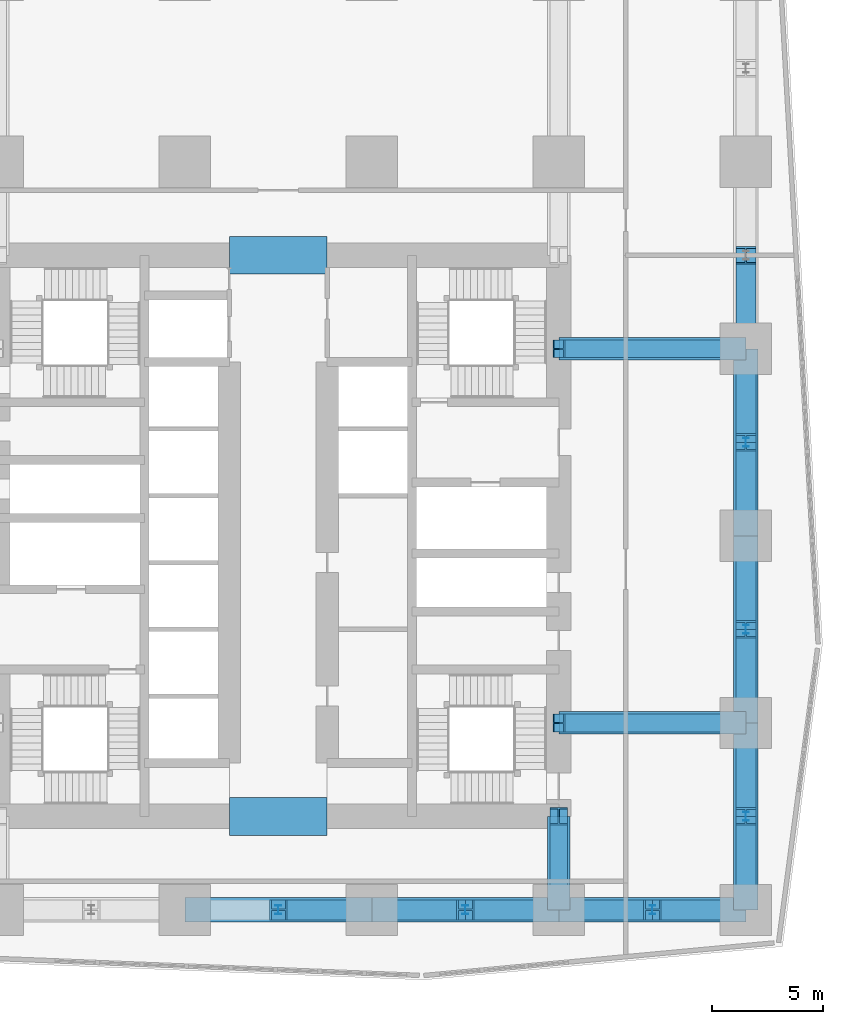
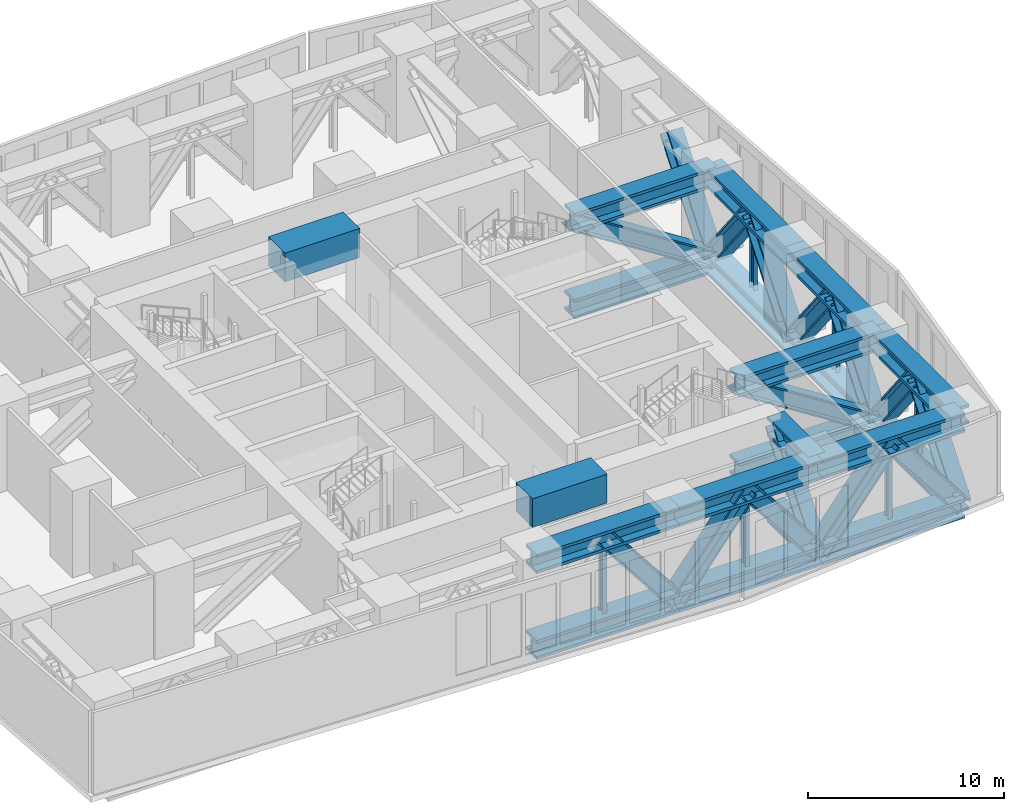
# One storey, part 4 of 16: 39 members, 2 beams.
"""IFC4 building model written with IfcOpenShell, lengths in metres."""

from ifc_helpers import new_model, si_unit, direction, frame, origin, origin_2d, place, context, subcontext, project, spatial, rectangle, i_section, extrude, material, material_profile, profile_set, type_object, element, save


model = new_model("IFC4")

# Units and contexts
model_context = context("Model", 3, precision=1e-05, world=origin(), true_north=direction((0.0, 1.0)))
body_context = subcontext(model_context, "Body", "Model", "MODEL_VIEW")
ifc_project = project(units=[si_unit("LENGTHUNIT", "METRE"), si_unit("AREAUNIT", "SQUARE_METRE"), si_unit("VOLUMEUNIT", "CUBIC_METRE"), si_unit("PLANEANGLEUNIT", "RADIAN"), si_unit("MASSUNIT", "GRAM", prefix="KILO")], contexts=[model_context])

# Site, building, storey
site_placement = place(None, origin())
site = spatial("IfcSite", under=ifc_project, at=site_placement, CompositionType="ELEMENT")
building_placement = place(site_placement, origin())
building = spatial("IfcBuilding", under=site, at=building_placement, Name="Rekha Terrace Tower", CompositionType="ELEMENT")
storey_placement = place(building_placement, frame((0.0, 0.0, 240.199951171875)))
storey = spatial("IfcBuildingStorey", under=building, at=storey_placement, Name="L61", CompositionType="ELEMENT", Elevation=240.199951171875)

# Members
ifc_material_1 = material(Name="Steel E350", Category="steel")
ifc_material_profile_1 = material_profile(ifc_material_1, i_section(OverallWidth=1.10009765625, OverallDepth=1.199951171875, WebThickness=0.1201171875, FlangeThickness=0.179931640625, at=origin_2d()), Name="BU 1200x1100x120x180")
ifc_profile_set_1 = profile_set([ifc_material_profile_1], Name="Steel E350")
member_type_1 = type_object("IfcMemberType", Name="BC61 BU 1200x1100x120x180 belt truss chord", PredefinedType="CHORD", material=ifc_profile_set_1)
for number, where, z_axis, x_axis, name in (
    (1, (33.60009765625, 16.800048828125, 4.400146484375), (1.0, 0.0, 0.0), (0.0, 1.0, 0.0), "Belt top chord 5C-6C L61"),
    (2, (33.60009765625, 16.800048828125, -0.949951171875), (1.0, 0.0, 0.0), (0.0, 1.0, 0.0), "Belt bottom chord 5C-6C L61"),
    (3, (42.0, 16.800048828125, 4.400146484375), (1.0, 0.0, 0.0), (0.0, 1.0, 0.0), "Belt top chord 6C-7C L61"),
    (4, (42.0, 16.800048828125, -0.949951171875), (1.0, 0.0, 0.0), (0.0, 1.0, 0.0), "Belt bottom chord 6C-7C L61"),
):
    element("IfcMember", number, at=place(storey_placement, frame(where, z_axis=z_axis, x_axis=x_axis)), inside=storey, type_object=member_type_1, Name=name, PredefinedType="CHORD", context=body_context, shape_type="SweptSolid", body=[
        extrude(i_section(OverallWidth=1.10009765625, OverallDepth=1.199951171875, WebThickness=0.1201171875, FlangeThickness=0.179931640625, at=origin_2d()), origin(), (0.0, 0.0, 1.0), 8.39990234375),
    ])
for number, where, z_axis, x_axis, name in (
    (5, (50.39990234375, 16.800048828125, 4.400146484375), (1.0, 0.0, 0.0), (0.0, 1.0, 0.0), "Belt top chord 7C-8C L61"),
    (6, (50.39990234375, 16.800048828125, -0.949951171875), (1.0, 0.0, 0.0), (0.0, 1.0, 0.0), "Belt bottom chord 7C-8C L61"),
):
    element("IfcMember", number, at=place(storey_placement, frame(where, z_axis=z_axis, x_axis=x_axis)), inside=storey, type_object=member_type_1, Name=name, PredefinedType="CHORD", context=body_context, shape_type="SweptSolid", body=[
        extrude(i_section(OverallWidth=1.10009765625, OverallDepth=1.199951171875, WebThickness=0.1201171875, FlangeThickness=0.179931640625, at=origin_2d()), origin(), (0.0, 0.0, 1.0), 8.400146484375),
    ])
for number, where, z_axis, x_axis, name in (
    (7, (58.800048828125, 16.800048828125, 4.400146484375), (0.0, 1.0, 0.0), (-1.0, 0.0, 0.0), "Belt top chord 8C-8D L61"),
    (8, (58.800048828125, 16.800048828125, -0.949951171875), (0.0, 1.0, 0.0), (-1.0, 0.0, 0.0), "Belt bottom chord 8C-8D L61"),
):
    element("IfcMember", number, at=place(storey_placement, frame(where, z_axis=z_axis, x_axis=x_axis)), inside=storey, type_object=member_type_1, Name=name, PredefinedType="CHORD", context=body_context, shape_type="SweptSolid", body=[
        extrude(i_section(OverallWidth=1.10009765625, OverallDepth=1.199951171875, WebThickness=0.1201171875, FlangeThickness=0.179931640625, at=origin_2d()), origin(), (0.0, 0.0, 1.0), 8.39990234375),
    ])
for number, where, z_axis, x_axis, name in (
    (9, (58.800048828125, 25.199951171875, 4.400146484375), (0.0, 1.0, 0.0), (-1.0, 0.0, 0.0), "Belt top chord 8D-8E L61"),
    (10, (58.800048828125, 25.199951171875, -0.949951171875), (0.0, 1.0, 0.0), (-1.0, 0.0, 0.0), "Belt bottom chord 8D-8E L61"),
):
    element("IfcMember", number, at=place(storey_placement, frame(where, z_axis=z_axis, x_axis=x_axis)), inside=storey, type_object=member_type_1, Name=name, PredefinedType="CHORD", context=body_context, shape_type="SweptSolid", body=[
        extrude(i_section(OverallWidth=1.10009765625, OverallDepth=1.199951171875, WebThickness=0.1201171875, FlangeThickness=0.179931640625, at=origin_2d()), origin(), (0.0, 0.0, 1.0), 8.400146484375),
    ])
for number, where, z_axis, x_axis, name in (
    (11, (58.800048828125, 33.60009765625, 4.400146484375), (0.0, 1.0, 0.0), (-1.0, 0.0, 0.0), "Belt top chord 8E-8F L61"),
    (12, (58.800048828125, 33.60009765625, -0.949951171875), (0.0, 1.0, 0.0), (-1.0, 0.0, 0.0), "Belt bottom chord 8E-8F L61"),
):
    element("IfcMember", number, at=place(storey_placement, frame(where, z_axis=z_axis, x_axis=x_axis)), inside=storey, type_object=member_type_1, Name=name, PredefinedType="CHORD", context=body_context, shape_type="SweptSolid", body=[
        extrude(i_section(OverallWidth=1.10009765625, OverallDepth=1.199951171875, WebThickness=0.1201171875, FlangeThickness=0.179931640625, at=origin_2d()), origin(), (0.0, 0.0, 1.0), 8.39990234375),
    ])
ifc_material_profile_2 = material_profile(ifc_material_1, i_section(OverallWidth=0.89990234375, OverallDepth=1.0, WebThickness=0.06005859375, FlangeThickness=0.10009765625, at=origin_2d()), Name="BU 1000x900x60x100")
ifc_profile_set_2 = profile_set([ifc_material_profile_2], Name="Steel E350")
member_type_2 = type_object("IfcMemberType", Name="BD61 BU 1000x900x60x100 belt truss diagonal", PredefinedType="BRACE", material=ifc_profile_set_2)
for number, where, z_axis, x_axis, name in (
    (13, (42.0, 16.800048828125, -0.949951171875), (-0.617485427507, 0.0, 0.786582320432), (0.0, -1.0, 0.0), "Belt diagonal 5C-6C L61"),
    (14, (42.0, 16.800048828125, -0.949951171875), (0.617485427507, 0.0, 0.786582320432), (0.0, 1.0, 0.0), "Belt diagonal 6C-7C L61"),
    (15, (50.39990234375, 16.800048828125, -0.949951171875), (-0.617485427507, 0.0, 0.786582320432), (0.0, -1.0, 0.0), "Belt diagonal 6C-7C L61"),
    (16, (50.39990234375, 16.800048828125, -0.949951171875), (0.617507634842, 0.0, 0.78656488665), (0.0, 1.0, 0.0), "Belt diagonal 7C-8C L61"),
    (17, (58.800048828125, 16.800048828125, -0.949951171875), (-0.617485427507, 0.0, 0.786582320432), (0.0, -1.0, 0.0), "Belt diagonal 7C-8C L61"),
    (18, (58.800048828125, 16.800048828125, -0.949951171875), (0.0, 0.617485427507, 0.786582320432), (-1.0, 0.0, 0.0), "Belt diagonal 8C-8D L61"),
    (19, (58.800048828125, 25.199951171875, -0.949951171875), (0.0, -0.617485427507, 0.786582320432), (1.0, 0.0, 0.0), "Belt diagonal 8C-8D L61"),
    (20, (58.800048828125, 25.199951171875, -0.949951171875), (0.0, 0.617485427507, 0.786582320432), (-1.0, 0.0, 0.0), "Belt diagonal 8D-8E L61"),
    (21, (58.800048828125, 33.60009765625, -0.949951171875), (0.0, -0.617507634842, 0.78656488665), (1.0, 0.0, 0.0), "Belt diagonal 8D-8E L61"),
    (22, (58.800048828125, 33.60009765625, -0.949951171875), (0.0, 0.617485427507, 0.786582320432), (-1.0, 0.0, 0.0), "Belt diagonal 8E-8F L61"),
    (23, (58.800048828125, 42.0, -0.949951171875), (0.0, -0.617485427507, 0.786582320432), (1.0, 0.0, 0.0), "Belt diagonal 8E-8F L61"),
    (24, (58.800048828125, 42.0, -0.949951171875), (0.0, 0.617485427507, 0.786582320432), (-1.0, 0.0, 0.0), "Belt diagonal 8F-8G L61"),
):
    element("IfcMember", number, at=place(storey_placement, frame(where, z_axis=z_axis, x_axis=x_axis)), inside=storey, type_object=member_type_2, Name=name, PredefinedType="BRACE", context=body_context, shape_type="SweptSolid", body=[
        extrude(i_section(OverallWidth=0.89990234375, OverallDepth=1.0, WebThickness=0.06005859375, FlangeThickness=0.10009765625, at=origin_2d()), origin(), (0.0, 0.0, 1.0), 6.8017578125),
    ])
ifc_material_profile_3 = material_profile(ifc_material_1, i_section(OverallWidth=0.25, OverallDepth=0.39990234375, WebThickness=0.010498046875, FlangeThickness=0.01611328125, FilletRadius=0.013916015625, at=origin_2d()), Name="ISHB 400")
ifc_profile_set_3 = profile_set([ifc_material_profile_3], Name="Steel E350")
member_type_3 = type_object("IfcMemberType", Name="BV61 ISHB 400 belt truss post", PredefinedType="POST", material=ifc_profile_set_3)
for number, where, z_axis, x_axis, name in (
    (25, (37.800048828125, 16.800048828125, -0.349853515625), (0.0, 0.0, 1.0), (1.0, 0.0, 0.0), "Belt post 5C-6C L61"),
    (26, (46.199951171875, 16.800048828125, -0.349853515625), (0.0, 0.0, 1.0), (1.0, 0.0, 0.0), "Belt post 6C-7C L61"),
    (27, (54.60009765625, 16.800048828125, -0.349853515625), (0.0, 0.0, 1.0), (1.0, 0.0, 0.0), "Belt post 7C-8C L61"),
    (28, (58.800048828125, 21.0, -0.349853515625), (0.0, 0.0, 1.0), (1.0, 0.0, 0.0), "Belt post 8C-8D L61"),
    (29, (58.800048828125, 29.39990234375, -0.349853515625), (0.0, 0.0, 1.0), (1.0, 0.0, 0.0), "Belt post 8D-8E L61"),
    (30, (58.800048828125, 37.800048828125, -0.349853515625), (0.0, 0.0, 1.0), (1.0, 0.0, 0.0), "Belt post 8E-8F L61"),
):
    element("IfcMember", number, at=place(storey_placement, frame(where, z_axis=z_axis, x_axis=x_axis)), inside=storey, type_object=member_type_3, Name=name, PredefinedType="POST", context=body_context, shape_type="SweptSolid", body=[
        extrude(i_section(OverallWidth=0.25, OverallDepth=0.39990234375, WebThickness=0.010498046875, FlangeThickness=0.01611328125, FilletRadius=0.013916015625, at=origin_2d()), origin(), (0.0, 0.0, 1.0), 4.14990234375),
    ])

# Beams
ifc_material_2 = material(Name="Concrete M60", Category="concrete")
ifc_material_profile_4 = material_profile(ifc_material_2, rectangle(XDim=1.699951171875, YDim=1.800048828125, at=origin_2d()), Name="RC 1700x1800")
ifc_profile_set_4 = profile_set([ifc_material_profile_4], Name="Concrete M60")
beam_type = type_object("IfcBeamType", Name="LB4B 1700x1800 diagonally reinforced coupling beam", PredefinedType="LINTEL", material=ifc_profile_set_4)
for number, where, z_axis, x_axis, name in (
    (31, (35.60009765625, 21.0, 4.5), (1.0, 0.0, 0.0), (0.0, 1.0, 0.0), "Coupling beam LB4B S L61"),
    (32, (35.60009765625, 46.199951171875, 4.5), (1.0, 0.0, 0.0), (0.0, 1.0, 0.0), "Coupling beam LB4B N L61"),
):
    element("IfcBeam", number, at=place(storey_placement, frame(where, z_axis=z_axis, x_axis=x_axis)), inside=storey, type_object=beam_type, Name=name, PredefinedType="LINTEL", context=body_context, shape_type="SweptSolid", body=[
        extrude(rectangle(XDim=1.699951171875, YDim=1.800048828125, at=origin_2d()), origin(), (0.0, 0.0, 1.0), 4.39990234375),
    ])

# Members
ifc_material_profile_5 = material_profile(ifc_material_1, i_section(OverallWidth=1.0, OverallDepth=1.199951171875, WebThickness=0.139892578125, FlangeThickness=0.169921875, at=origin_2d()), Name="BU 1200x1000x140x170")
ifc_profile_set_5 = profile_set([ifc_material_profile_5], Name="Steel E350")
member_type_4 = type_object("IfcMemberType", Name="OC61 BU 1200x1000x140x170 outrigger chord", PredefinedType="CHORD", material=ifc_profile_set_5)
for number, where, z_axis, x_axis, name in (
    (33, (50.39990234375, 25.199951171875, 4.400146484375), (1.0, 0.0, 0.0), (0.0, 1.0, 0.0), "Outrigger top chord ED-1 L61"),
    (34, (50.39990234375, 25.199951171875, -0.949951171875), (1.0, 0.0, 0.0), (0.0, 1.0, 0.0), "Outrigger bottom chord ED-1 L61"),
    (35, (50.39990234375, 42.0, 4.400146484375), (1.0, 0.0, 0.0), (0.0, 1.0, 0.0), "Outrigger top chord EF-1 L61"),
    (36, (50.39990234375, 42.0, -0.949951171875), (1.0, 0.0, 0.0), (0.0, 1.0, 0.0), "Outrigger bottom chord EF-1 L61"),
):
    element("IfcMember", number, at=place(storey_placement, frame(where, z_axis=z_axis, x_axis=x_axis)), inside=storey, type_object=member_type_4, Name=name, PredefinedType="CHORD", context=body_context, shape_type="SweptSolid", body=[
        extrude(i_section(OverallWidth=1.0, OverallDepth=1.199951171875, WebThickness=0.139892578125, FlangeThickness=0.169921875, at=origin_2d()), origin(), (0.0, 0.0, 1.0), 8.400146484375),
    ])
for number, where, z_axis, x_axis, name in (
    (37, (50.39990234375, 21.0, 4.400146484375), (0.0, -1.0, 0.0), (1.0, 0.0, 0.0), "Outrigger top chord S7-1 L61"),
    (38, (50.39990234375, 21.0, -0.949951171875), (0.0, -1.0, 0.0), (1.0, 0.0, 0.0), "Outrigger bottom chord S7-1 L61"),
):
    element("IfcMember", number, at=place(storey_placement, frame(where, z_axis=z_axis, x_axis=x_axis)), inside=storey, type_object=member_type_4, Name=name, PredefinedType="CHORD", context=body_context, shape_type="SweptSolid", body=[
        extrude(i_section(OverallWidth=1.0, OverallDepth=1.199951171875, WebThickness=0.139892578125, FlangeThickness=0.169921875, at=origin_2d()), origin(), (0.0, 0.0, 1.0), 4.199951171875),
    ])
ifc_material_profile_6 = material_profile(ifc_material_1, i_section(OverallWidth=0.800048828125, OverallDepth=1.0, WebThickness=0.050048828125, FlangeThickness=0.090087890625, at=origin_2d()), Name="BU 1000x800x50x90")
ifc_profile_set_6 = profile_set([ifc_material_profile_6], Name="Steel E350")
member_type_5 = type_object("IfcMemberType", Name="OD61 BU 1000x800x50x90 outrigger diagonal", PredefinedType="BRACE", material=ifc_profile_set_6)
for number, where, z_axis, x_axis, name in (
    (39, (50.39990234375, 25.199951171875, 4.400146484375), (0.843454497748, 0.0, -0.537200623816), (0.0, 1.0, 0.0), "Outrigger diagonal ED-1 L61"),
    (40, (50.39990234375, 42.0, 4.400146484375), (0.843454497748, 0.0, -0.537200623816), (0.0, 1.0, 0.0), "Outrigger diagonal EF-1 L61"),
):
    element("IfcMember", number, at=place(storey_placement, frame(where, z_axis=z_axis, x_axis=x_axis)), inside=storey, type_object=member_type_5, Name=name, PredefinedType="BRACE", context=body_context, shape_type="SweptSolid", body=[
        extrude(i_section(OverallWidth=0.800048828125, OverallDepth=1.0, WebThickness=0.050048828125, FlangeThickness=0.090087890625, at=origin_2d()), origin(), (0.0, 0.0, 1.0), 9.959228515625),
    ])
member_placement = place(storey_placement, frame((50.39990234375, 21.0, 4.400146484375), z_axis=(0.0, -0.617485427507, -0.786582320432), x_axis=(1.0, 0.0, 0.0)))
element("IfcMember", 41, at=member_placement, inside=storey, type_object=member_type_5, Name="Outrigger diagonal S7-1 L61", PredefinedType="BRACE", context=body_context, shape_type="SweptSolid", body=[
    extrude(i_section(OverallWidth=0.800048828125, OverallDepth=1.0, WebThickness=0.050048828125, FlangeThickness=0.090087890625, at=origin_2d()), origin(), (0.0, 0.0, 1.0), 6.8017578125),
])

save(model, "model.ifc")
